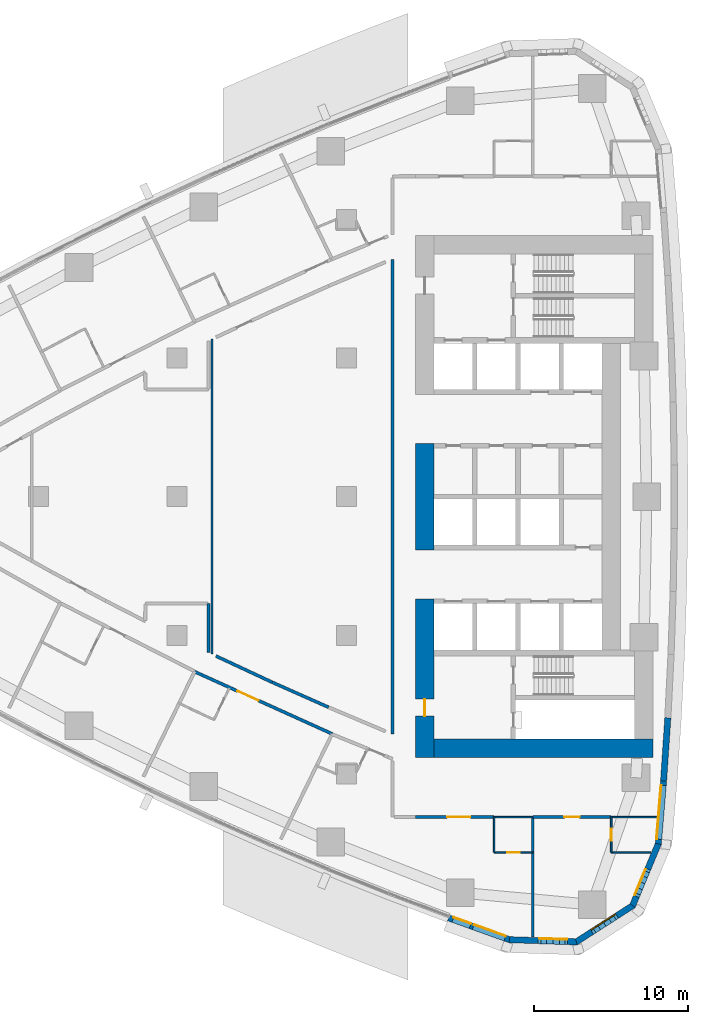
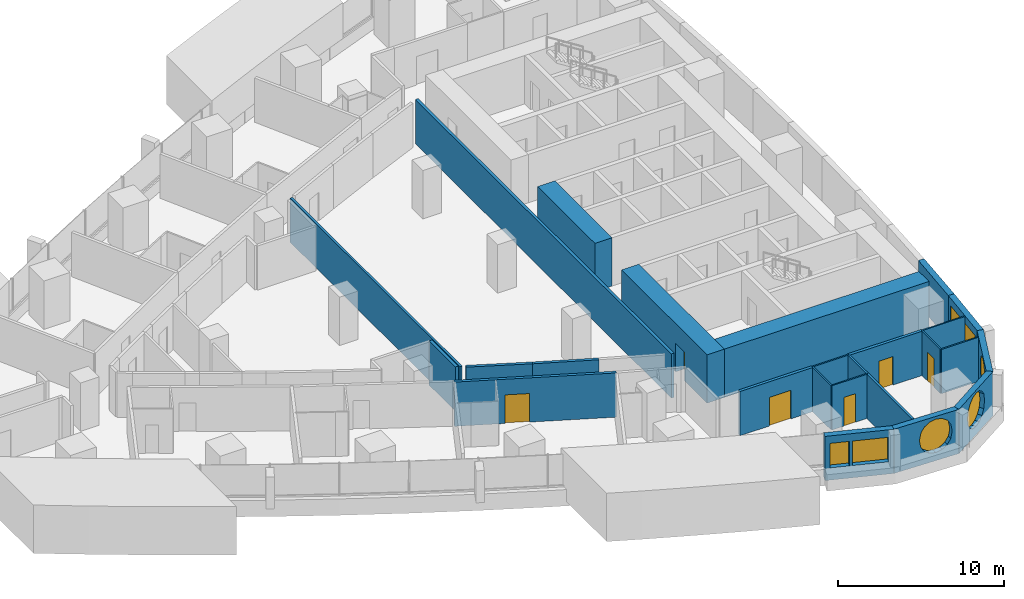
# One storey, part 10 of 19: 24 walls, 6 doors, 6 windows, 12 openings.
"""IFC4 building model written with IfcOpenShell, lengths in metres."""

from ifc_helpers import new_model, si_unit, direction, frame, frame_2d, origin, place, context, subcontext, project, spatial, polyline, rectangle, outline, extrude, material, layer, layer_set, type_object, element, fill, save


model = new_model("IFC4")

# Units and contexts
model_context = context("Model", 3, precision=1e-05, world=origin(), true_north=direction((0.0, 1.0)))
body_context = subcontext(model_context, "Body", "Model", "MODEL_VIEW")
ifc_project = project(units=[si_unit("LENGTHUNIT", "METRE"), si_unit("AREAUNIT", "SQUARE_METRE"), si_unit("VOLUMEUNIT", "CUBIC_METRE"), si_unit("PLANEANGLEUNIT", "RADIAN"), si_unit("MASSUNIT", "GRAM", prefix="KILO")], contexts=[model_context])

# Site, building, storey
site_placement = place(None, origin())
site = spatial("IfcSite", under=ifc_project, at=site_placement, CompositionType="ELEMENT")
building_placement = place(site_placement, origin())
building = spatial("IfcBuilding", under=site, at=building_placement, Name="Ostrand Prow Hotel Tower", CompositionType="ELEMENT")
storey_placement = place(building_placement, frame((0.0, 0.0, 60.89990234375)))
storey = spatial("IfcBuildingStorey", under=building, at=storey_placement, Name="L13", CompositionType="ELEMENT", Elevation=60.89990234375)

# Wall
ifc_material_1 = material(Name="Concrete C80/95", Category="concrete")
ifc_layer_1 = layer(ifc_material_1, 1.199951171875)
ifc_layer_set_1 = layer_set([ifc_layer_1], Name="Concrete C80/95")
wall_type_1 = type_object("IfcWallType", Name="Core wall 1200 C80/95", PredefinedType="SHEAR", material=ifc_layer_set_1)
wall_1_placement = place(storey_placement, frame((50.10009765625, -3.449951171875, 0.0), z_axis=(0.0, 0.0, 1.0), x_axis=(0.0, 1.0, 0.0)))
element("IfcWall", 1, at=wall_1_placement, inside=storey, type_object=wall_type_1, Name="Core wall CW-W-C", PredefinedType="SHEAR", context=body_context, shape_type="SweptSolid", body=[
    extrude(rectangle(XDim=6.89990234375, YDim=1.199951171875, at=frame_2d((3.449951171875, 0.0))), origin(), (0.0, 0.0, 1.0), 3.550048828125),
])

# Wall, opening, door
wall_2_placement = place(storey_placement, frame((50.10009765625, -16.949951171875, 0.0), z_axis=(0.0, 0.0, 1.0), x_axis=(0.0, 1.0, 0.0)))
wall_2 = element("IfcWall", 2, at=wall_2_placement, inside=storey, type_object=wall_type_1, Name="Core wall CW-W-S", PredefinedType="SHEAR", context=body_context, shape_type="SweptSolid", body=[
    extrude(rectangle(XDim=10.300048828125, YDim=1.199951171875, at=frame_2d((5.14990234375, 0.0))), origin(), (0.0, 0.0, 1.0), 3.550048828125),
])
opening_1_placement = place(wall_2_placement, frame((2.699951171875, 0.0, 0.0)))
opening_1 = element("IfcOpeningElement", 3, at=opening_1_placement, cuts=wall_2, Name="Opening FD1", PredefinedType="OPENING", context=body_context, shape_type="SweptSolid", body=[
    extrude(rectangle(XDim=1.10009765625, YDim=2.10009765625, at=frame_2d((0.550048828125, 1.050048828125))), frame((0.0, 0.60986328125, 0.0), z_axis=(0.0, -1.0, 0.0), x_axis=(1.0, 0.0, 0.0)), (0.0, 0.0, 1.0), 1.219970703125),
])
ifc_material_2 = material(Name="Steel fire door", Category="steel")
door_type_1 = type_object("IfcDoorType", Name="Fire door 1100 EI120", OperationType="SINGLE_SWING_RIGHT", PredefinedType="DOOR", material=ifc_material_2)
door_1_placement = place(opening_1_placement, origin())
door_1 = element("IfcDoor", 4, at=door_1_placement, inside=storey, type_object=door_type_1, Name="FIRE DOOR", OperationType="SINGLE_SWING_RIGHT", OverallHeight=2.10009765625, OverallWidth=1.10009765625, PredefinedType="DOOR", context=body_context, shape_type="SweptSolid", body=[
    extrude(rectangle(XDim=1.10009765625, YDim=2.10009765625, at=frame_2d((0.550048828125, 1.050048828125))), frame((0.0, 0.02490234375, 0.0), z_axis=(0.0, -1.0, 0.0), x_axis=(1.0, 0.0, 0.0)), (0.0, 0.0, 1.0), 0.050048828125),
])
fill(opening_1, door_1)

# Walls
wall_3_placement = place(storey_placement, frame((50.699951171875, -16.35009765625, 0.0), z_axis=(0.0, 0.0, 1.0), x_axis=(1.0, 0.0, 0.0)))
element("IfcWall", 5, at=wall_3_placement, inside=storey, type_object=wall_type_1, Name="Core wall CW-S", PredefinedType="SHEAR", context=body_context, shape_type="SweptSolid", body=[
    extrude(rectangle(XDim=14.219970703125, YDim=1.199951171875, at=frame_2d((7.10986328125, 0.0))), origin(), (0.0, 0.0, 1.0), 3.550048828125),
])
ifc_material_3 = material(Name="Plasterboard partition")
ifc_layer_2 = layer(ifc_material_3, 0.10009765625)
ifc_layer_set_2 = layer_set([ifc_layer_2], Name="Plasterboard partition")
wall_type_2 = type_object("IfcWallType", Name="Partition 100 bathroom wall", PredefinedType="PARTITIONING", material=ifc_layer_set_2)
wall_4_placement = place(storey_placement, frame((54.601806640625, -23.10009765625, 0.0), z_axis=(0.0, 0.0, 1.0), x_axis=(0.0, 1.0, 0.0)))
element("IfcWall", 6, at=wall_4_placement, inside=storey, type_object=wall_type_2, Name="BATHROOM WALL", PredefinedType="PARTITIONING", context=body_context, shape_type="SweptSolid", body=[
    extrude(rectangle(XDim=2.300048828125, YDim=0.10009765625, at=frame_2d((1.14990234375, 0.0))), origin(), (0.0, 0.0, 1.0), 3.25),
])

# Wall, opening, door
wall_5_placement = place(storey_placement, frame((57.101806640625, -23.10009765625, 0.0), z_axis=(0.0, 0.0, 1.0), x_axis=(-1.0, 0.0, 0.0)))
wall_5 = element("IfcWall", 7, at=wall_5_placement, inside=storey, type_object=wall_type_2, Name="BATHROOM WALL", PredefinedType="PARTITIONING", context=body_context, shape_type="SweptSolid", body=[
    extrude(rectangle(XDim=2.5, YDim=0.10009765625, at=frame_2d((1.25, 0.0))), origin(), (0.0, 0.0, 1.0), 3.25),
])
opening_2_placement = place(wall_5_placement, frame((0.85009765625, 0.0, 0.0)))
opening_2 = element("IfcOpeningElement", 8, at=opening_2_placement, cuts=wall_5, Name="Opening D2", PredefinedType="OPENING", context=body_context, shape_type="SweptSolid", body=[
    extrude(rectangle(XDim=0.800048828125, YDim=2.10009765625, at=frame_2d((0.39990234375, 1.050048828125))), frame((0.0, 0.06005859375, 0.0), z_axis=(0.0, -1.0, 0.0), x_axis=(1.0, 0.0, 0.0)), (0.0, 0.0, 1.0), 0.1201171875),
])
ifc_material_4 = material(Name="Timber door leaf", Category="wood")
door_type_2 = type_object("IfcDoorType", Name="Bathroom door 800", OperationType="SINGLE_SWING_LEFT", PredefinedType="DOOR", material=ifc_material_4)
door_2_placement = place(opening_2_placement, origin())
door_2 = element("IfcDoor", 9, at=door_2_placement, inside=storey, type_object=door_type_2, Name="DOOR", OperationType="SINGLE_SWING_LEFT", OverallHeight=2.10009765625, OverallWidth=0.800048828125, PredefinedType="DOOR", context=body_context, shape_type="SweptSolid", body=[
    extrude(rectangle(XDim=0.800048828125, YDim=2.10009765625, at=frame_2d((0.39990234375, 1.050048828125))), frame((0.0, 0.02490234375, 0.0), z_axis=(0.0, -1.0, 0.0), x_axis=(1.0, 0.0, 0.0)), (0.0, 0.0, 1.0), 0.050048828125),
])
fill(opening_2, door_2)

# Wall
wall_6_placement = place(storey_placement, frame((64.781494140625, -23.10009765625, 0.0), z_axis=(0.0, 0.0, 1.0), x_axis=(-1.0, 0.0, 0.0)))
element("IfcWall", 10, at=wall_6_placement, inside=storey, type_object=wall_type_2, Name="BATHROOM WALL", PredefinedType="PARTITIONING", context=body_context, shape_type="SweptSolid", body=[
    extrude(rectangle(XDim=2.578125, YDim=0.10009765625, at=frame_2d((1.2890625, 0.0))), origin(), (0.0, 0.0, 1.0), 3.25),
])

# Wall, opening, door
wall_7_placement = place(storey_placement, frame((62.203369140625, -23.10009765625, 0.0), z_axis=(0.0, 0.0, 1.0), x_axis=(0.0, 1.0, 0.0)))
wall_7 = element("IfcWall", 11, at=wall_7_placement, inside=storey, type_object=wall_type_2, Name="BATHROOM WALL", PredefinedType="PARTITIONING", context=body_context, shape_type="SweptSolid", body=[
    extrude(rectangle(XDim=2.300048828125, YDim=0.10009765625, at=frame_2d((1.14990234375, 0.0))), origin(), (0.0, 0.0, 1.0), 3.25),
])
opening_3_placement = place(wall_7_placement, frame((0.75, 0.0, 0.0)))
opening_3 = element("IfcOpeningElement", 12, at=opening_3_placement, cuts=wall_7, Name="Opening D2", PredefinedType="OPENING", context=body_context, shape_type="SweptSolid", body=[
    extrude(rectangle(XDim=0.800048828125, YDim=2.10009765625, at=frame_2d((0.39990234375, 1.050048828125))), frame((0.0, 0.06005859375, 0.0), z_axis=(0.0, -1.0, 0.0), x_axis=(1.0, 0.0, 0.0)), (0.0, 0.0, 1.0), 0.1201171875),
])
door_3_placement = place(opening_3_placement, origin())
door_3 = element("IfcDoor", 13, at=door_3_placement, inside=storey, type_object=door_type_2, Name="DOOR", OperationType="SINGLE_SWING_LEFT", OverallHeight=2.10009765625, OverallWidth=0.800048828125, PredefinedType="DOOR", context=body_context, shape_type="SweptSolid", body=[
    extrude(rectangle(XDim=0.800048828125, YDim=2.10009765625, at=frame_2d((0.39990234375, 1.050048828125))), frame((0.0, 0.02490234375, 0.0), z_axis=(0.0, -1.0, 0.0), x_axis=(1.0, 0.0, 0.0)), (0.0, 0.0, 1.0), 0.050048828125),
])
fill(opening_3, door_3)

# Walls
wall_8_placement = place(storey_placement, frame((54.601806640625, -20.804931640625, 0.0), z_axis=(0.0, 0.0, 1.0), x_axis=(1.0, 0.0, 0.0)))
element("IfcWall", 14, at=wall_8_placement, inside=storey, type_object=wall_type_2, Name="BATHROOM WALL", PredefinedType="PARTITIONING", context=body_context, shape_type="SweptSolid", body=[
    extrude(rectangle(XDim=2.5, YDim=0.10009765625, at=frame_2d((1.25, 0.0))), origin(), (0.0, 0.0, 1.0), 3.25),
])
wall_9_placement = place(storey_placement, frame((62.203369140625, -20.804931640625, 0.0), z_axis=(0.0, 0.0, 1.0), x_axis=(1.0, 0.0, 0.0)))
element("IfcWall", 15, at=wall_9_placement, inside=storey, type_object=wall_type_2, Name="BATHROOM WALL", PredefinedType="PARTITIONING", context=body_context, shape_type="SweptSolid", body=[
    extrude(rectangle(XDim=2.97119140625, YDim=0.10009765625, at=frame_2d((1.485595703125, 0.0))), origin(), (0.0, 0.0, 1.0), 3.25),
])
ifc_material_5 = material(Name="Plasterboard partition")
ifc_layer_3 = layer(ifc_material_5, 0.14990234375)
ifc_layer_set_3 = layer_set([ifc_layer_3], Name="Plasterboard partition")
wall_type_3 = type_object("IfcWallType", Name="Partition 150 room partition", PredefinedType="PARTITIONING", material=ifc_layer_set_3)
wall_10_placement = place(storey_placement, frame((57.101806640625, -28.5869140625, 0.0), z_axis=(0.0, 0.0, 1.0), x_axis=(0.0, 1.0, 0.0)))
element("IfcWall", 16, at=wall_10_placement, inside=storey, type_object=wall_type_3, Name="ROOM PARTITION", PredefinedType="PARTITIONING", context=body_context, shape_type="SweptSolid", body=[
    extrude(rectangle(XDim=7.786865234375, YDim=0.14990234375, at=frame_2d((3.8935546875, 0.0))), origin(), (0.0, 0.0, 1.0), 3.25),
])
wall_11_placement = place(storey_placement, frame((36.28271484375, -10.22509765625, 0.0), z_axis=(0.0, 0.0, 1.0), x_axis=(0.0, 1.0, 0.0)))
element("IfcWall", 17, at=wall_11_placement, inside=storey, type_object=wall_type_3, Name="ROOM PARTITION", PredefinedType="PARTITIONING", context=body_context, shape_type="SweptSolid", body=[
    extrude(rectangle(XDim=20.4501953125, YDim=0.14990234375, at=frame_2d((10.22509765625, 0.0))), origin(), (0.0, 0.0, 1.0), 3.25),
])

# Wall, opening, door
ifc_material_6 = material(Name="Plasterboard partition")
ifc_layer_4 = layer(ifc_material_6, 0.199951171875)
ifc_layer_set_4 = layer_set([ifc_layer_4], Name="Plasterboard partition")
wall_type_4 = type_object("IfcWallType", Name="Partition 200 corridor wall", PredefinedType="PARTITIONING", material=ifc_layer_set_4)
wall_12_placement = place(storey_placement, frame((35.147705078125, -11.3623046875, 0.0), z_axis=(0.0, 0.0, 1.0), x_axis=(0.9111333041, -0.412111759308, 0.0)))
wall_12 = element("IfcWall", 18, at=wall_12_placement, inside=storey, type_object=wall_type_4, Name="CORRIDOR WALL", PredefinedType="PARTITIONING", context=body_context, shape_type="SweptSolid", body=[
    extrude(rectangle(XDim=9.803955078125, YDim=0.199951171875, at=frame_2d((4.90185546875, 0.0))), origin(), (0.0, 0.0, 1.0), 3.25),
])
opening_4_placement = place(wall_12_placement, frame((3.050048828125, 0.0, 0.0)))
opening_4 = element("IfcOpeningElement", 19, at=opening_4_placement, cuts=wall_12, Name="Opening D15", PredefinedType="OPENING", context=body_context, shape_type="SweptSolid", body=[
    extrude(rectangle(XDim=1.5, YDim=2.10009765625, at=frame_2d((0.75, 1.050048828125))), frame((0.0, 0.10986328125, 0.0), z_axis=(0.0, -1.0, 0.0), x_axis=(1.0, 0.0, 0.0)), (0.0, 0.0, 1.0), 0.219970703125),
])
ifc_material_7 = material(Name="Timber door leaf", Category="wood")
door_type_3 = type_object("IfcDoorType", Name="Double door 1500", OperationType="DOUBLE_DOOR_SINGLE_SWING", PredefinedType="DOOR", material=ifc_material_7)
door_4_placement = place(opening_4_placement, origin())
door_4 = element("IfcDoor", 20, at=door_4_placement, inside=storey, type_object=door_type_3, Name="DOOR", OperationType="DOUBLE_DOOR_SINGLE_SWING", OverallHeight=2.10009765625, OverallWidth=1.5, PredefinedType="DOOR", context=body_context, shape_type="SweptSolid", body=[
    extrude(rectangle(XDim=1.5, YDim=2.10009765625, at=frame_2d((0.75, 1.050048828125))), frame((0.0, 0.02490234375, 0.0), z_axis=(0.0, -1.0, 0.0), x_axis=(1.0, 0.0, 0.0)), (0.0, 0.0, 1.0), 0.050048828125),
])
fill(opening_4, door_4)

# Walls
wall_13_placement = place(storey_placement, frame((43.85009765625, -13.67724609375, 0.0), z_axis=(0.0, 0.0, 1.0), x_axis=(-0.913986953061, 0.405743576209, 0.0)))
element("IfcWall", 21, at=wall_13_placement, inside=storey, type_object=wall_type_4, Name="CORRIDOR WALL", PredefinedType="PARTITIONING", context=body_context, shape_type="SweptSolid", body=[
    extrude(rectangle(XDim=4.015869140625, YDim=0.199951171875, at=frame_2d((2.0078125, 0.0))), origin(), (0.0, 0.0, 1.0), 3.25),
])
wall_14_placement = place(storey_placement, frame((40.1796875, -12.0478515625, 0.0), z_axis=(0.0, 0.0, 1.0), x_axis=(-0.906347708834, 0.42253263861, 0.0)))
element("IfcWall", 22, at=wall_14_placement, inside=storey, type_object=wall_type_4, Name="CORRIDOR WALL", PredefinedType="PARTITIONING", context=body_context, shape_type="SweptSolid", body=[
    extrude(rectangle(XDim=4.015625, YDim=0.199951171875, at=frame_2d((2.0078125, 0.0))), origin(), (0.0, 0.0, 1.0), 3.25),
])

# Wall, opening, door
wall_15_placement = place(storey_placement, frame((49.5, -20.804931640625, 0.0), z_axis=(0.0, 0.0, 1.0), x_axis=(1.0, 0.0, 0.0)))
wall_15 = element("IfcWall", 23, at=wall_15_placement, inside=storey, type_object=wall_type_4, Name="CORRIDOR WALL", PredefinedType="PARTITIONING", context=body_context, shape_type="SweptSolid", body=[
    extrude(rectangle(XDim=5.0966796875, YDim=0.199951171875, at=frame_2d((2.54833984375, 0.0))), origin(), (0.0, 0.0, 1.0), 3.25),
])
opening_5_placement = place(wall_15_placement, frame((2.04833984375, 0.0, 0.0)))
opening_5 = element("IfcOpeningElement", 24, at=opening_5_placement, cuts=wall_15, Name="Opening D15", PredefinedType="OPENING", context=body_context, shape_type="SweptSolid", body=[
    extrude(rectangle(XDim=1.5, YDim=2.10009765625, at=frame_2d((0.75, 1.050048828125))), frame((0.0, 0.10986328125, 0.0), z_axis=(0.0, -1.0, 0.0), x_axis=(1.0, 0.0, 0.0)), (0.0, 0.0, 1.0), 0.219970703125),
])
door_5_placement = place(opening_5_placement, origin())
door_5 = element("IfcDoor", 25, at=door_5_placement, inside=storey, type_object=door_type_3, Name="DOOR", OperationType="DOUBLE_DOOR_SINGLE_SWING", OverallHeight=2.10009765625, OverallWidth=1.5, PredefinedType="DOOR", context=body_context, shape_type="SweptSolid", body=[
    extrude(rectangle(XDim=1.5, YDim=2.10009765625, at=frame_2d((0.75, 1.050048828125))), frame((0.0, 0.02490234375, 0.0), z_axis=(0.0, -1.0, 0.0), x_axis=(1.0, 0.0, 0.0)), (0.0, 0.0, 1.0), 0.050048828125),
])
fill(opening_5, door_5)

wall_16_placement = place(storey_placement, frame((57.106689453125, -20.804931640625, 0.0), z_axis=(0.0, 0.0, 1.0), x_axis=(1.0, 0.0, 0.0)))
wall_16 = element("IfcWall", 26, at=wall_16_placement, inside=storey, type_object=wall_type_4, Name="CORRIDOR WALL", PredefinedType="PARTITIONING", context=body_context, shape_type="SweptSolid", body=[
    extrude(rectangle(XDim=5.091552734375, YDim=0.199951171875, at=frame_2d((2.5458984375, 0.0))), origin(), (0.0, 0.0, 1.0), 3.25),
])
opening_6_placement = place(wall_16_placement, frame((2.0458984375, 0.0, 0.0)))
opening_6 = element("IfcOpeningElement", 27, at=opening_6_placement, cuts=wall_16, Name="Opening D1R", PredefinedType="OPENING", context=body_context, shape_type="SweptSolid", body=[
    extrude(rectangle(XDim=1.0, YDim=2.10009765625, at=frame_2d((0.5, 1.050048828125))), frame((0.0, 0.10986328125, 0.0), z_axis=(0.0, -1.0, 0.0), x_axis=(1.0, 0.0, 0.0)), (0.0, 0.0, 1.0), 0.219970703125),
])
ifc_material_8 = material(Name="Timber door leaf", Category="wood")
door_type_4 = type_object("IfcDoorType", Name="Guest room door 1000 right", OperationType="SINGLE_SWING_RIGHT", PredefinedType="DOOR", material=ifc_material_8)
door_6_placement = place(opening_6_placement, origin())
door_6 = element("IfcDoor", 28, at=door_6_placement, inside=storey, type_object=door_type_4, Name="DOOR", OperationType="SINGLE_SWING_RIGHT", OverallHeight=2.10009765625, OverallWidth=1.0, PredefinedType="DOOR", context=body_context, shape_type="SweptSolid", body=[
    extrude(rectangle(XDim=1.0, YDim=2.10009765625, at=frame_2d((0.5, 1.050048828125))), frame((0.0, 0.02490234375, 0.0), z_axis=(0.0, -1.0, 0.0), x_axis=(1.0, 0.0, 0.0)), (0.0, 0.0, 1.0), 0.050048828125),
])
fill(opening_6, door_6)

# Walls
wall_17_placement = place(storey_placement, frame((36.054931640625, -10.1083984375, 0.0), z_axis=(0.0, 0.0, 1.0), x_axis=(-0.00077190251, 0.999999702083, 0.0)))
element("IfcWall", 29, at=wall_17_placement, inside=storey, type_object=wall_type_4, Name="CORRIDOR WALL", PredefinedType="PARTITIONING", context=body_context, shape_type="SweptSolid", body=[
    extrude(rectangle(XDim=3.162841796875, YDim=0.199951171875, at=frame_2d((1.58154296875, 0.0))), origin(), (0.0, 0.0, 1.0), 3.25),
])
wall_18_placement = place(storey_placement, frame((48.0, 15.4140625, 0.0), z_axis=(0.0, 0.0, 1.0), x_axis=(0.0, -1.0, 0.0)))
element("IfcWall", 30, at=wall_18_placement, inside=storey, type_object=wall_type_4, Name="CORRIDOR WALL", PredefinedType="PARTITIONING", context=body_context, shape_type="SweptSolid", body=[
    extrude(rectangle(XDim=30.828125, YDim=0.199951171875, at=frame_2d((15.4140625, 0.0))), origin(), (0.0, 0.0, 1.0), 3.25),
])

# Wall, openings, windows
ifc_material_9 = material(Name="Precast concrete C40/50", Category="concrete")
ifc_layer_5 = layer(ifc_material_9, 0.39990234375)
ifc_layer_set_5 = layer_set([ifc_layer_5], Name="Precast concrete C40/50")
wall_type_5 = type_object("IfcWallType", Name="Stone-faced precast wall 400 mm", PredefinedType="NOTDEFINED", material=ifc_layer_set_5)
wall_19_placement = place(storey_placement, frame((51.639892578125, -27.3515625, 0.0), z_axis=(0.0, 0.0, 1.0), x_axis=(0.941339752885, -0.337460323057, 0.0)))
wall_19 = element("IfcWall", 31, at=wall_19_placement, inside=storey, type_object=wall_type_5, Name="Stone-faced wall back 1", PredefinedType="NOTDEFINED", context=body_context, shape_type="SweptSolid", body=[
    extrude(outline(polyline([(0.0, -0.199951171875), (4.2275390625, -0.199951171875), (4.16455078125, 0.199951171875), (0.0, 0.199951171875), (0.0, -0.199951171875)])), origin(), (0.0, 0.0, 1.0), 3.25),
])
opening_7_placement = place(wall_19_placement, frame((0.298095703125, 0.0, 0.89990234375)))
opening_7 = element("IfcOpeningElement", 32, at=opening_7_placement, cuts=wall_19, Name="Opening WS4", PredefinedType="OPENING", context=body_context, shape_type="SweptSolid", body=[
    extrude(rectangle(XDim=1.199951171875, YDim=1.800048828125, at=frame_2d((0.60009765625, 0.89990234375))), frame((0.0, 0.2099609375, 0.0), z_axis=(0.0, -1.0, 0.0), x_axis=(1.0, 0.0, 0.0)), (0.0, 0.0, 1.0), 0.419921875),
])
opening_8_placement = place(wall_19_placement, frame((1.697998046875, 0.0, 0.89990234375)))
opening_8 = element("IfcOpeningElement", 33, at=opening_8_placement, cuts=wall_19, Name="Opening WS5-22", PredefinedType="OPENING", context=body_context, shape_type="SweptSolid", body=[
    extrude(rectangle(XDim=2.199951171875, YDim=1.800048828125, at=frame_2d((1.10009765625, 0.89990234375))), frame((0.0, 0.2099609375, 0.0), z_axis=(0.0, -1.0, 0.0), x_axis=(1.0, 0.0, 0.0)), (0.0, 0.0, 1.0), 0.419921875),
])
ifc_material_10 = material(Name="Insulated glass in bronze frame", Category="glass")
window_type_1 = type_object("IfcWindowType", Name="Fixed strip window 2200x1800", PartitioningType="SINGLE_PANEL", PredefinedType="WINDOW", material=ifc_material_10)
window_1_placement = place(opening_8_placement, origin())
window_1 = element("IfcWindow", 34, at=window_1_placement, inside=storey, type_object=window_type_1, Name="Window back 1.2", OverallHeight=1.800048828125, OverallWidth=2.199951171875, PartitioningType="SINGLE_PANEL", PredefinedType="WINDOW", context=body_context, shape_type="SweptSolid", body=[
    extrude(rectangle(XDim=2.199951171875, YDim=1.800048828125, at=frame_2d((1.10009765625, 0.89990234375))), frame((0.0, 0.169921875, 0.0), z_axis=(0.0, -1.0, 0.0), x_axis=(1.0, 0.0, 0.0)), (0.0, 0.0, 1.0), 0.06005859375),
])
fill(opening_8, window_1)
ifc_material_11 = material(Name="Insulated glass in bronze frame", Category="glass")
window_type_2 = type_object("IfcWindowType", Name="Operable strip panel 1200x1800", PartitioningType="SINGLE_PANEL", PredefinedType="WINDOW", material=ifc_material_11)
window_2_placement = place(opening_7_placement, origin())
window_2 = element("IfcWindow", 35, at=window_2_placement, inside=storey, type_object=window_type_2, Name="Window back 1.1", OverallHeight=1.800048828125, OverallWidth=1.199951171875, PartitioningType="SINGLE_PANEL", PredefinedType="WINDOW", context=body_context, shape_type="SweptSolid", body=[
    extrude(rectangle(XDim=1.199951171875, YDim=1.800048828125, at=frame_2d((0.60009765625, 0.89990234375))), frame((0.0, 0.169921875, 0.0), z_axis=(0.0, -1.0, 0.0), x_axis=(1.0, 0.0, 0.0)), (0.0, 0.0, 1.0), 0.06005859375),
])
fill(opening_7, window_2)

# Wall, opening, window
wall_20_placement = place(storey_placement, frame((55.58984375, -28.767578125, 0.0), z_axis=(0.0, 0.0, 1.0), x_axis=(0.999463576228, -0.032749958686, 0.0)))
wall_20 = element("IfcWall", 36, at=wall_20_placement, inside=storey, type_object=wall_type_5, Name="Stone-faced wall back 2", PredefinedType="NOTDEFINED", context=body_context, shape_type="SweptSolid", body=[
    extrude(outline(polyline([(-0.031494140625, -0.199951171875), (4.40869140625, -0.199951171875), (4.28369140625, 0.199951171875), (0.031494140625, 0.199951171875), (-0.031494140625, -0.199951171875)])), origin(), (0.0, 0.0, 1.0), 3.25),
])
opening_9_placement = place(wall_20_placement, frame((1.724365234375, 0.0, 0.60009765625)))
opening_9 = element("IfcOpeningElement", 37, at=opening_9_placement, cuts=wall_20, Name="Opening WP1", PredefinedType="OPENING", context=body_context, shape_type="SweptSolid", body=[
    extrude(outline(polyline([(0.0, 1.35009765625), (0.083740234375, 1.77099609375), (0.322265625, 2.127685546875), (0.678955078125, 2.3662109375), (1.10009765625, 2.449951171875), (1.52099609375, 2.3662109375), (1.877685546875, 2.127685546875), (2.1162109375, 1.77099609375), (2.199951171875, 1.35009765625), (2.199951171875, 1.10009765625), (2.1162109375, 0.678955078125), (1.877685546875, 0.322265625), (1.52099609375, 0.083740234375), (1.10009765625, 0.0), (0.678955078125, 0.083740234375), (0.322265625, 0.322265625), (0.083740234375, 0.678955078125), (0.0, 1.099853515625), (0.0, 1.35009765625)])), frame((0.0, 0.2099609375, 0.0), z_axis=(0.0, -1.0, 0.0), x_axis=(1.0, 0.0, 0.0)), (0.0, 0.0, 1.0), 0.419921875),
])
ifc_material_12 = material(Name="Insulated glass in bronze frame", Category="glass")
window_type_3 = type_object("IfcWindowType", Name="Round-ended prow window 2200x2450", PartitioningType="SINGLE_PANEL", PredefinedType="WINDOW", material=ifc_material_12)
window_3_placement = place(opening_9_placement, origin())
window_3 = element("IfcWindow", 38, at=window_3_placement, inside=storey, type_object=window_type_3, Name="Window back 2.1", OverallHeight=2.449951171875, OverallWidth=2.199951171875, PartitioningType="SINGLE_PANEL", PredefinedType="WINDOW", context=body_context, shape_type="SweptSolid", body=[
    extrude(outline(polyline([(0.0, 1.35009765625), (0.083740234375, 1.77099609375), (0.322265625, 2.127685546875), (0.678955078125, 2.3662109375), (1.10009765625, 2.449951171875), (1.52099609375, 2.3662109375), (1.877685546875, 2.127685546875), (2.1162109375, 1.77099609375), (2.199951171875, 1.35009765625), (2.199951171875, 1.10009765625), (2.1162109375, 0.678955078125), (1.877685546875, 0.322265625), (1.52099609375, 0.083740234375), (1.10009765625, 0.0), (0.678955078125, 0.083740234375), (0.322265625, 0.322265625), (0.083740234375, 0.678955078125), (0.0, 1.099853515625), (0.0, 1.35009765625)])), frame((0.0, 0.169921875, 0.0), z_axis=(0.0, -1.0, 0.0), x_axis=(1.0, 0.0, 0.0)), (0.0, 0.0, 1.0), 0.06005859375),
])
fill(opening_9, window_3)

wall_21_placement = place(storey_placement, frame((59.93359375, -28.909912109375, 0.0), z_axis=(0.0, 0.0, 1.0), x_axis=(0.840937468718, 0.541132307025, 0.0)))
wall_21 = element("IfcWall", 39, at=wall_21_placement, inside=storey, type_object=wall_type_5, Name="Stone-faced wall back 3", PredefinedType="NOTDEFINED", context=body_context, shape_type="SweptSolid", body=[
    extrude(outline(polyline([(-0.0625, -0.199951171875), (4.40869140625, -0.199951171875), (4.28369140625, 0.199951171875), (0.0625, 0.199951171875), (-0.0625, -0.199951171875)])), origin(), (0.0, 0.0, 1.0), 3.25),
])
opening_10_placement = place(wall_21_placement, frame((1.072998046875, 0.0, 0.60009765625)))
opening_10 = element("IfcOpeningElement", 40, at=opening_10_placement, cuts=wall_21, Name="Opening WP1", PredefinedType="OPENING", context=body_context, shape_type="SweptSolid", body=[
    extrude(outline(polyline([(0.0, 1.35009765625), (0.083740234375, 1.77099609375), (0.322265625, 2.127685546875), (0.678955078125, 2.3662109375), (1.10009765625, 2.449951171875), (1.52099609375, 2.3662109375), (1.877685546875, 2.127685546875), (2.1162109375, 1.77099609375), (2.199951171875, 1.35009765625), (2.199951171875, 1.10009765625), (2.1162109375, 0.678955078125), (1.877685546875, 0.322265625), (1.52099609375, 0.083740234375), (1.10009765625, 0.0), (0.678955078125, 0.083740234375), (0.322265625, 0.322265625), (0.083740234375, 0.678955078125), (0.0, 1.099853515625), (0.0, 1.35009765625)])), frame((0.0, 0.2099609375, 0.0), z_axis=(0.0, -1.0, 0.0), x_axis=(1.0, 0.0, 0.0)), (0.0, 0.0, 1.0), 0.419921875),
])
window_4_placement = place(opening_10_placement, origin())
window_4 = element("IfcWindow", 41, at=window_4_placement, inside=storey, type_object=window_type_3, Name="Window back 3.1", OverallHeight=2.449951171875, OverallWidth=2.199951171875, PartitioningType="SINGLE_PANEL", PredefinedType="WINDOW", context=body_context, shape_type="SweptSolid", body=[
    extrude(outline(polyline([(0.0, 1.35009765625), (0.083740234375, 1.77099609375), (0.322265625, 2.127685546875), (0.678955078125, 2.3662109375), (1.10009765625, 2.449951171875), (1.52099609375, 2.3662109375), (1.877685546875, 2.127685546875), (2.1162109375, 1.77099609375), (2.199951171875, 1.35009765625), (2.199951171875, 1.10009765625), (2.1162109375, 0.678955078125), (1.877685546875, 0.322265625), (1.52099609375, 0.083740234375), (1.10009765625, 0.0), (0.678955078125, 0.083740234375), (0.322265625, 0.322265625), (0.083740234375, 0.678955078125), (0.0, 1.099853515625), (0.0, 1.35009765625)])), frame((0.0, 0.169921875, 0.0), z_axis=(0.0, -1.0, 0.0), x_axis=(1.0, 0.0, 0.0)), (0.0, 0.0, 1.0), 0.06005859375),
])
fill(opening_10, window_4)

wall_22_placement = place(storey_placement, frame((63.58837890625, -26.55810546875, 0.0), z_axis=(0.0, 0.0, 1.0), x_axis=(0.384372042685, 0.923178277908, 0.0)))
wall_22 = element("IfcWall", 42, at=wall_22_placement, inside=storey, type_object=wall_type_5, Name="Stone-faced wall back 4", PredefinedType="NOTDEFINED", context=body_context, shape_type="SweptSolid", body=[
    extrude(outline(polyline([(-0.0625, -0.199951171875), (4.376953125, -0.199951171875), (4.314453125, 0.199951171875), (0.0625, 0.199951171875), (-0.0625, -0.199951171875)])), origin(), (0.0, 0.0, 1.0), 3.25),
])
opening_11_placement = place(wall_22_placement, frame((0.515380859375, 0.0, 0.60009765625)))
opening_11 = element("IfcOpeningElement", 43, at=opening_11_placement, cuts=wall_22, Name="Opening WP1", PredefinedType="OPENING", context=body_context, shape_type="SweptSolid", body=[
    extrude(outline(polyline([(0.0, 1.35009765625), (0.083740234375, 1.77099609375), (0.322265625, 2.127685546875), (0.678955078125, 2.3662109375), (1.10009765625, 2.449951171875), (1.52099609375, 2.3662109375), (1.877685546875, 2.127685546875), (2.1162109375, 1.77099609375), (2.199951171875, 1.35009765625), (2.199951171875, 1.10009765625), (2.1162109375, 0.678955078125), (1.877685546875, 0.322265625), (1.52099609375, 0.083740234375), (1.10009765625, 0.0), (0.678955078125, 0.083740234375), (0.322265625, 0.322265625), (0.083740234375, 0.678955078125), (0.0, 1.099853515625), (0.0, 1.35009765625)])), frame((0.0, 0.2099609375, 0.0), z_axis=(0.0, -1.0, 0.0), x_axis=(1.0, 0.0, 0.0)), (0.0, 0.0, 1.0), 0.419921875),
])
window_5_placement = place(opening_11_placement, origin())
window_5 = element("IfcWindow", 44, at=window_5_placement, inside=storey, type_object=window_type_3, Name="Window back 4.1", OverallHeight=2.449951171875, OverallWidth=2.199951171875, PartitioningType="SINGLE_PANEL", PredefinedType="WINDOW", context=body_context, shape_type="SweptSolid", body=[
    extrude(outline(polyline([(0.0, 1.35009765625), (0.083740234375, 1.77099609375), (0.322265625, 2.127685546875), (0.678955078125, 2.3662109375), (1.10009765625, 2.449951171875), (1.52099609375, 2.3662109375), (1.877685546875, 2.127685546875), (2.1162109375, 1.77099609375), (2.199951171875, 1.35009765625), (2.199951171875, 1.10009765625), (2.1162109375, 0.678955078125), (1.877685546875, 0.322265625), (1.52099609375, 0.083740234375), (1.10009765625, 0.0), (0.678955078125, 0.083740234375), (0.322265625, 0.322265625), (0.083740234375, 0.678955078125), (0.0, 1.099853515625), (0.0, 1.35009765625)])), frame((0.0, 0.169921875, 0.0), z_axis=(0.0, -1.0, 0.0), x_axis=(1.0, 0.0, 0.0)), (0.0, 0.0, 1.0), 0.06005859375),
])
fill(opening_11, window_5)

wall_23_placement = place(storey_placement, frame((65.2587890625, -22.546142578125, 0.0), z_axis=(0.0, 0.0, 1.0), x_axis=(0.083793550906, 0.996483136248, 0.0)))
wall_23 = element("IfcWall", 45, at=wall_23_placement, inside=storey, type_object=wall_type_5, Name="Stone-faced wall back 5", PredefinedType="NOTDEFINED", context=body_context, shape_type="SweptSolid", body=[
    extrude(outline(polyline([(-0.03125, -0.199951171875), (4.10693359375, -0.199951171875), (4.103515625, 0.199951171875), (0.03125, 0.199951171875), (-0.03125, -0.199951171875)])), origin(), (0.0, 0.0, 1.0), 3.25),
])
opening_12_placement = place(wall_23_placement, frame((0.302490234375, 0.0, 0.89990234375)))
opening_12 = element("IfcOpeningElement", 46, at=opening_12_placement, cuts=wall_23, Name="Opening WS3-35", PredefinedType="OPENING", context=body_context, shape_type="SweptSolid", body=[
    extrude(rectangle(XDim=3.5, YDim=1.800048828125, at=frame_2d((1.75, 0.89990234375))), frame((0.0, 0.2099609375, 0.0), z_axis=(0.0, -1.0, 0.0), x_axis=(1.0, 0.0, 0.0)), (0.0, 0.0, 1.0), 0.419921875),
])
ifc_material_13 = material(Name="Insulated glass in bronze frame", Category="glass")
window_type_4 = type_object("IfcWindowType", Name="Strip window 3500x1800", PartitioningType="SINGLE_PANEL", PredefinedType="WINDOW", material=ifc_material_13)
window_6_placement = place(opening_12_placement, origin())
window_6 = element("IfcWindow", 47, at=window_6_placement, inside=storey, type_object=window_type_4, Name="Window back 5.1", OverallHeight=1.800048828125, OverallWidth=3.5, PartitioningType="SINGLE_PANEL", PredefinedType="WINDOW", context=body_context, shape_type="SweptSolid", body=[
    extrude(rectangle(XDim=3.5, YDim=1.800048828125, at=frame_2d((1.75, 0.89990234375))), frame((0.0, 0.169921875, 0.0), z_axis=(0.0, -1.0, 0.0), x_axis=(1.0, 0.0, 0.0)), (0.0, 0.0, 1.0), 0.06005859375),
])
fill(opening_12, window_6)

# Wall
wall_24_placement = place(storey_placement, frame((65.602783203125, -18.455322265625, 0.0), z_axis=(0.0, 0.0, 1.0), x_axis=(0.067087430225, 0.997747100575, 0.0)))
element("IfcWall", 48, at=wall_24_placement, inside=storey, type_object=wall_type_5, Name="Stone-faced wall back 6", PredefinedType="NOTDEFINED", context=body_context, shape_type="SweptSolid", body=[
    extrude(outline(polyline([(-0.001708984375, -0.199951171875), (4.106689453125, -0.199951171875), (4.103271484375, 0.199951171875), (0.001708984375, 0.199951171875), (-0.001708984375, -0.199951171875)])), origin(), (0.0, 0.0, 1.0), 3.25),
])

save(model, "model.ifc")
